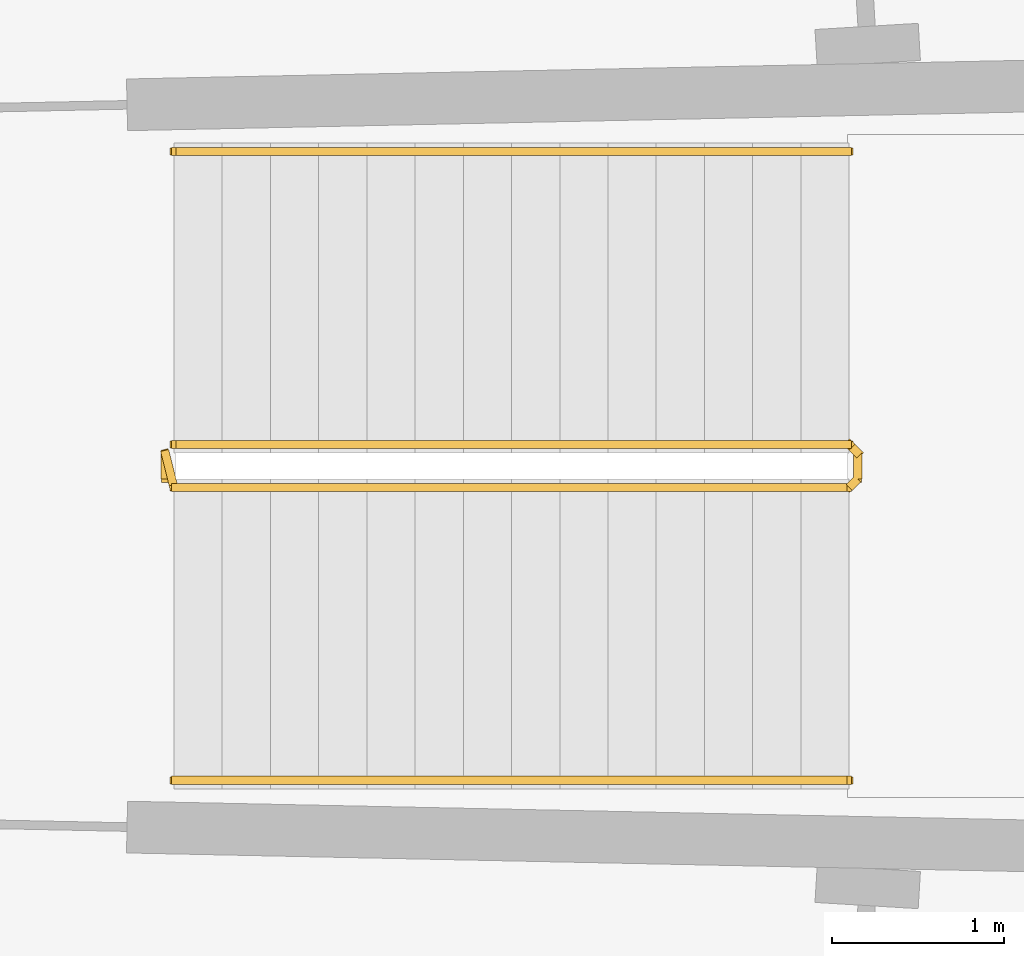
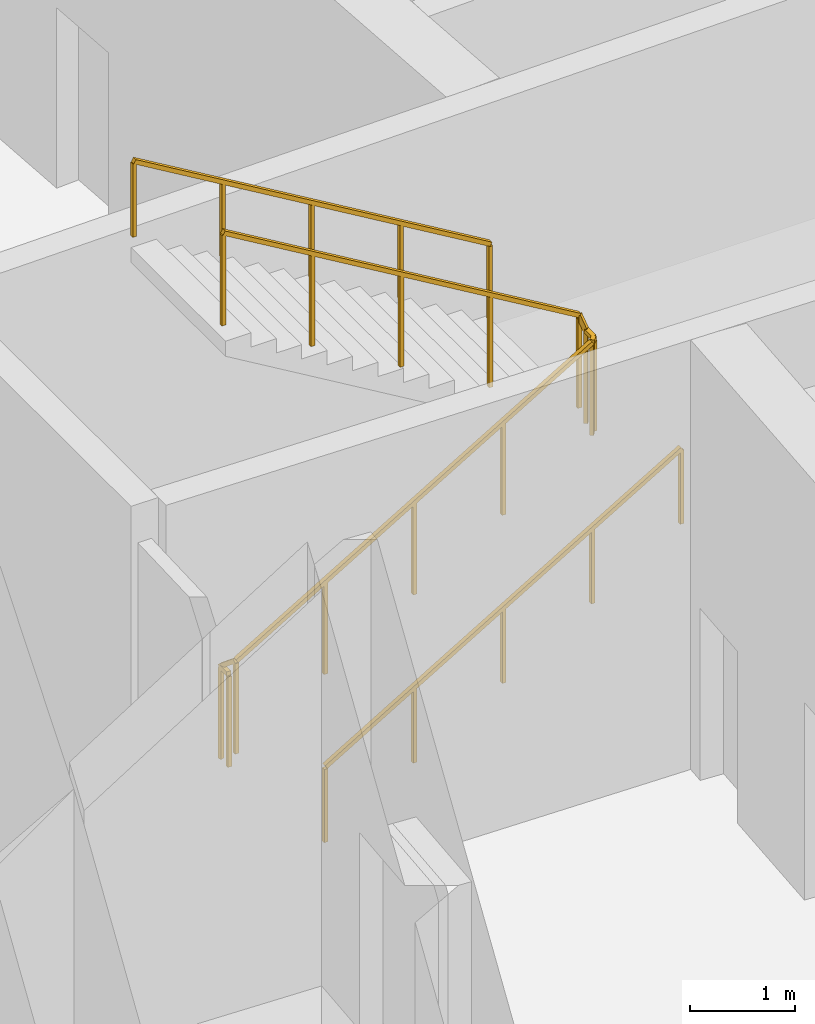
# One storey, part 13 of 15: 3 railings.
"""IFC4 building model written with IfcOpenShell, lengths in metres."""

from ifc_helpers import new_model, si_unit, direction, frame, origin, origin_with_axes, origin_2d, place, context, subcontext, project, spatial, rectangle, extrude, material, type_object, element, save


model = new_model("IFC4")

# Units and contexts
model_context = context("Model", 3, precision=1e-05, world=origin(), true_north=direction((0.0, 1.0)))
body_context = subcontext(model_context, "Body", "Model", "MODEL_VIEW")
ifc_project = project(units=[si_unit("LENGTHUNIT", "METRE"), si_unit("AREAUNIT", "SQUARE_METRE"), si_unit("VOLUMEUNIT", "CUBIC_METRE"), si_unit("PLANEANGLEUNIT", "RADIAN"), si_unit("MASSUNIT", "GRAM", prefix="KILO")], contexts=[model_context])

# Site, building, storey
site_placement = place(None, origin())
site = spatial("IfcSite", under=ifc_project, at=site_placement, CompositionType="ELEMENT")
building_placement = place(site_placement, origin())
building = spatial("IfcBuilding", under=site, at=building_placement, Name="Alderwake Tower", CompositionType="ELEMENT")
storey_placement = place(building_placement, frame((0.0, 0.0, 13.5)))
storey = spatial("IfcBuildingStorey", under=building, at=storey_placement, Name="L02", CompositionType="ELEMENT", Elevation=13.5)

# Railings
ifc_material_1 = material(Name="Stainless steel guard", Category="steel")
railing_type_1 = type_object("IfcRailingType", Name="Stair guard 1100", PredefinedType="GUARDRAIL", material=ifc_material_1)
railing_1_placement = place(storey_placement, frame((20.989990234375, 60.925048828125, 0.0)))
element("IfcRailing", 1, at=railing_1_placement, inside=storey, type_object=railing_type_1, Name="L02 ST-B stair guard 1", PredefinedType="GUARDRAIL", context=body_context, shape_type="SweptSolid", body=[
    extrude(rectangle(XDim=0.048095703125, YDim=0.048095703125, at=origin_2d()), frame((0.0, 0.0, 1.076171875), z_axis=(0.0, 1.0, 0.0), x_axis=(-1.0, 0.0, 0.0)), (0.0, 0.0, 1.0), 0.14990234375),
    extrude(rectangle(XDim=0.048095703125, YDim=0.048095703125, at=origin_2d()), frame((0.0, 0.14990234375, 1.076171875), z_axis=(0.188775798145, -0.754182335027, 0.628945707965), x_axis=(0.970072785993, 0.242814311512, 0.0)), (0.0, 0.0, 1.0), 0.26513671875),
    extrude(rectangle(XDim=0.048095703125, YDim=0.048095703125, at=origin_2d()), frame((0.050048828125, -0.050048828125, 1.24267578125), z_axis=(0.859296244711, 0.0, 0.511478214419), x_axis=(0.0, 1.0, 0.0)), (0.0, 0.0, 1.0), 4.561767578125),
    extrude(rectangle(XDim=0.048095703125, YDim=0.048095703125, at=origin_2d()), frame((3.969970703125, -0.050048828125, 3.576171875), z_axis=(0.707106781187, 0.707106781187, 0.0), x_axis=(-0.707106781187, 0.707106781187, 0.0)), (0.0, 0.0, 1.0), 0.07080078125),
    extrude(rectangle(XDim=0.048095703125, YDim=0.048095703125, at=origin_2d()), frame((4.02001953125, 0.0, 3.576171875), z_axis=(0.0, 1.0, 0.0), x_axis=(-1.0, 0.0, 0.0)), (0.0, 0.0, 1.0), 0.14990234375),
    extrude(rectangle(XDim=0.048095703125, YDim=0.048095703125, at=origin_2d()), frame((4.02001953125, 0.14990234375, 3.576171875), z_axis=(-0.27628659633, 0.27628659633, 0.920506074601), x_axis=(-0.707106781187, -0.707106781187, 0.0)), (0.0, 0.0, 1.0), 0.18115234375),
    extrude(rectangle(XDim=0.048095703125, YDim=0.048095703125, at=origin_2d()), frame((3.969970703125, 0.199951171875, 3.74267578125), z_axis=(-0.859296244711, 0.0, 0.511478214419), x_axis=(0.0, -1.0, 0.0)), (0.0, 0.0, 1.0), 4.561767578125),
    extrude(rectangle(XDim=0.0419921875, YDim=0.0419921875, at=origin_2d()), frame((0.0, 0.0, 0.0), z_axis=(0.0, 0.0, 1.0), x_axis=(0.0, 1.0, 0.0)), (0.0, 0.0, 1.0), 1.052001953125),
    extrude(rectangle(XDim=0.0419921875, YDim=0.0419921875, at=origin_2d()), frame((0.0, 0.14990234375, 0.0), z_axis=(0.0, 0.0, 1.0), x_axis=(0.242814311512, -0.970072785993, 0.0)), (0.0, 0.0, 1.0), 1.052001953125),
    extrude(rectangle(XDim=0.0419921875, YDim=0.0419921875, at=origin_2d()), frame((0.050048828125, -0.050048828125, 0.166748046875), z_axis=(0.0, 0.0, 1.0), x_axis=(1.0, 0.0, 0.0)), (0.0, 0.0, 1.0), 1.052001953125),
    extrude(rectangle(XDim=0.0419921875, YDim=0.0419921875, at=origin_2d()), frame((1.030029296875, -0.050048828125, 0.75), z_axis=(0.0, 0.0, 1.0), x_axis=(1.0, 0.0, 0.0)), (0.0, 0.0, 1.0), 1.052001953125),
    extrude(rectangle(XDim=0.0419921875, YDim=0.0419921875, at=origin_2d()), frame((2.010009765625, -0.050048828125, 1.33349609375), z_axis=(0.0, 0.0, 1.0), x_axis=(1.0, 0.0, 0.0)), (0.0, 0.0, 1.0), 1.052001953125),
    extrude(rectangle(XDim=0.0419921875, YDim=0.0419921875, at=origin_2d()), frame((2.989990234375, -0.050048828125, 1.916748046875), z_axis=(0.0, 0.0, 1.0), x_axis=(1.0, 0.0, 0.0)), (0.0, 0.0, 1.0), 1.052001953125),
    extrude(rectangle(XDim=0.0419921875, YDim=0.0419921875, at=origin_2d()), frame((3.969970703125, -0.050048828125, 2.5), z_axis=(0.0, 0.0, 1.0), x_axis=(0.707106781187, 0.707106781187, 0.0)), (0.0, 0.0, 1.0), 1.052001953125),
    extrude(rectangle(XDim=0.0419921875, YDim=0.0419921875, at=origin_2d()), frame((4.02001953125, 0.0, 2.5), z_axis=(0.0, 0.0, 1.0), x_axis=(0.0, 1.0, 0.0)), (0.0, 0.0, 1.0), 1.052001953125),
    extrude(rectangle(XDim=0.0419921875, YDim=0.0419921875, at=origin_2d()), frame((4.02001953125, 0.14990234375, 2.5), z_axis=(0.0, 0.0, 1.0), x_axis=(-0.707106781187, 0.707106781187, 0.0)), (0.0, 0.0, 1.0), 1.052001953125),
    extrude(rectangle(XDim=0.0419921875, YDim=0.0419921875, at=origin_2d()), frame((3.969970703125, 0.199951171875, 2.666748046875), z_axis=(0.0, 0.0, 1.0), x_axis=(-1.0, 0.0, 0.0)), (0.0, 0.0, 1.0), 1.052001953125),
    extrude(rectangle(XDim=0.0419921875, YDim=0.0419921875, at=origin_2d()), frame((2.989990234375, 0.199951171875, 3.25), z_axis=(0.0, 0.0, 1.0), x_axis=(-1.0, 0.0, 0.0)), (0.0, 0.0, 1.0), 1.052001953125),
    extrude(rectangle(XDim=0.0419921875, YDim=0.0419921875, at=origin_2d()), frame((2.010009765625, 0.199951171875, 3.83349609375), z_axis=(0.0, 0.0, 1.0), x_axis=(-1.0, 0.0, 0.0)), (0.0, 0.0, 1.0), 1.052001953125),
    extrude(rectangle(XDim=0.0419921875, YDim=0.0419921875, at=origin_2d()), frame((1.030029296875, 0.199951171875, 4.416748046875), z_axis=(0.0, 0.0, 1.0), x_axis=(-1.0, 0.0, 0.0)), (0.0, 0.0, 1.0), 1.052001953125),
    extrude(rectangle(XDim=0.0419921875, YDim=0.0419921875, at=origin_2d()), frame((0.050048828125, 0.199951171875, 5.0), z_axis=(0.0, 0.0, 1.0), x_axis=(-1.0, 0.0, 0.0)), (0.0, 0.0, 1.0), 1.052001953125),
])
ifc_material_2 = material(Name="Stainless steel handrail", Category="steel")
railing_type_2 = type_object("IfcRailingType", Name="Stair handrail 900", PredefinedType="HANDRAIL", material=ifc_material_2)
railing_2_placement = place(storey_placement, frame((21.0400390625, 59.175048828125, 0.166748046875)))
element("IfcRailing", 2, at=railing_2_placement, inside=storey, type_object=railing_type_2, Name="L02 ST-B stair handrail 1", PredefinedType="HANDRAIL", context=body_context, shape_type="SweptSolid", body=[
    extrude(rectangle(XDim=0.048095703125, YDim=0.048095703125, at=origin_2d()), frame((0.0, 0.0, 0.8759765625), z_axis=(0.859296244711, 0.0, 0.511478214419), x_axis=(0.0, 1.0, 0.0)), (0.0, 0.0, 1.0), 4.561767578125),
    extrude(rectangle(XDim=0.0419921875, YDim=0.0419921875, at=origin_2d()), origin_with_axes(), (0.0, 0.0, 1.0), 0.851806640625),
    extrude(rectangle(XDim=0.0419921875, YDim=0.0419921875, at=origin_2d()), frame((0.97998046875, 0.0, 0.583251953125), z_axis=(0.0, 0.0, 1.0), x_axis=(1.0, 0.0, 0.0)), (0.0, 0.0, 1.0), 0.851806640625),
    extrude(rectangle(XDim=0.0419921875, YDim=0.0419921875, at=origin_2d()), frame((1.9599609375, 0.0, 1.16650390625), z_axis=(0.0, 0.0, 1.0), x_axis=(1.0, 0.0, 0.0)), (0.0, 0.0, 1.0), 0.851806640625),
    extrude(rectangle(XDim=0.0419921875, YDim=0.0419921875, at=origin_2d()), frame((2.93994140625, 0.0, 1.75), z_axis=(0.0, 0.0, 1.0), x_axis=(1.0, 0.0, 0.0)), (0.0, 0.0, 1.0), 0.851806640625),
    extrude(rectangle(XDim=0.0419921875, YDim=0.0419921875, at=origin_2d()), frame((3.919921875, 0.0, 2.333251953125), z_axis=(0.0, 0.0, 1.0), x_axis=(1.0, 0.0, 0.0)), (0.0, 0.0, 1.0), 0.851806640625),
])
railing_3_placement = place(storey_placement, frame((24.9599609375, 62.824951171875, 2.666748046875)))
element("IfcRailing", 3, at=railing_3_placement, inside=storey, type_object=railing_type_2, Name="L02 ST-B stair handrail 2", PredefinedType="HANDRAIL", context=body_context, shape_type="SweptSolid", body=[
    extrude(rectangle(XDim=0.048095703125, YDim=0.048095703125, at=origin_2d()), frame((0.0, 0.0, 0.8759765625), z_axis=(-0.859296244711, 0.0, 0.511478214419), x_axis=(0.0, -1.0, 0.0)), (0.0, 0.0, 1.0), 4.561767578125),
    extrude(rectangle(XDim=0.0419921875, YDim=0.0419921875, at=origin_2d()), frame((0.0, 0.0, 0.0), z_axis=(0.0, 0.0, 1.0), x_axis=(-1.0, 0.0, 0.0)), (0.0, 0.0, 1.0), 0.851806640625),
    extrude(rectangle(XDim=0.0419921875, YDim=0.0419921875, at=origin_2d()), frame((-0.97998046875, 0.0, 0.583251953125), z_axis=(0.0, 0.0, 1.0), x_axis=(-1.0, 0.0, 0.0)), (0.0, 0.0, 1.0), 0.851806640625),
    extrude(rectangle(XDim=0.0419921875, YDim=0.0419921875, at=origin_2d()), frame((-1.9599609375, 0.0, 1.16650390625), z_axis=(0.0, 0.0, 1.0), x_axis=(-1.0, 0.0, 0.0)), (0.0, 0.0, 1.0), 0.851806640625),
    extrude(rectangle(XDim=0.0419921875, YDim=0.0419921875, at=origin_2d()), frame((-2.93994140625, 0.0, 1.75), z_axis=(0.0, 0.0, 1.0), x_axis=(-1.0, 0.0, 0.0)), (0.0, 0.0, 1.0), 0.851806640625),
    extrude(rectangle(XDim=0.0419921875, YDim=0.0419921875, at=origin_2d()), frame((-3.919921875, 0.0, 2.333251953125), z_axis=(0.0, 0.0, 1.0), x_axis=(-1.0, 0.0, 0.0)), (0.0, 0.0, 1.0), 0.851806640625),
])

save(model, "model.ifc")
